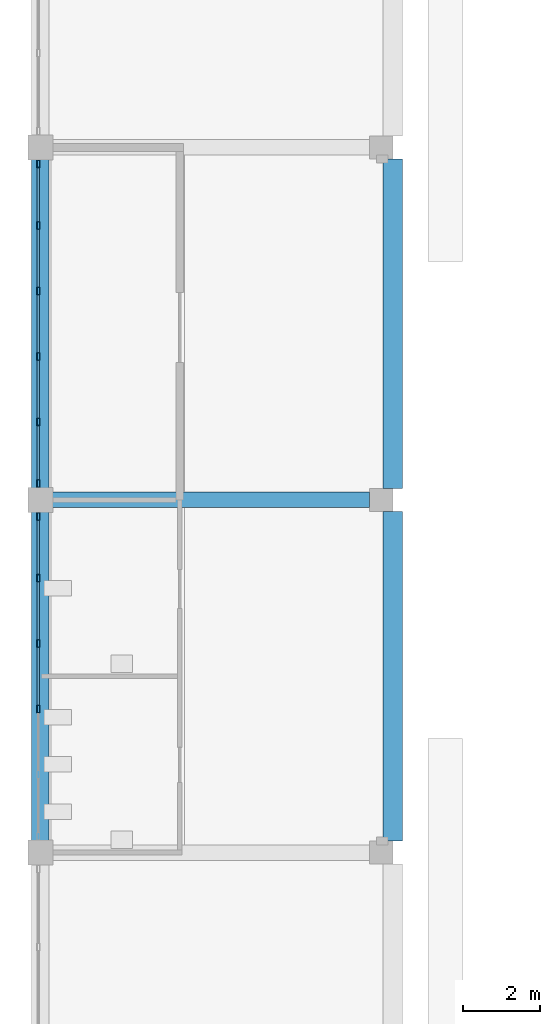
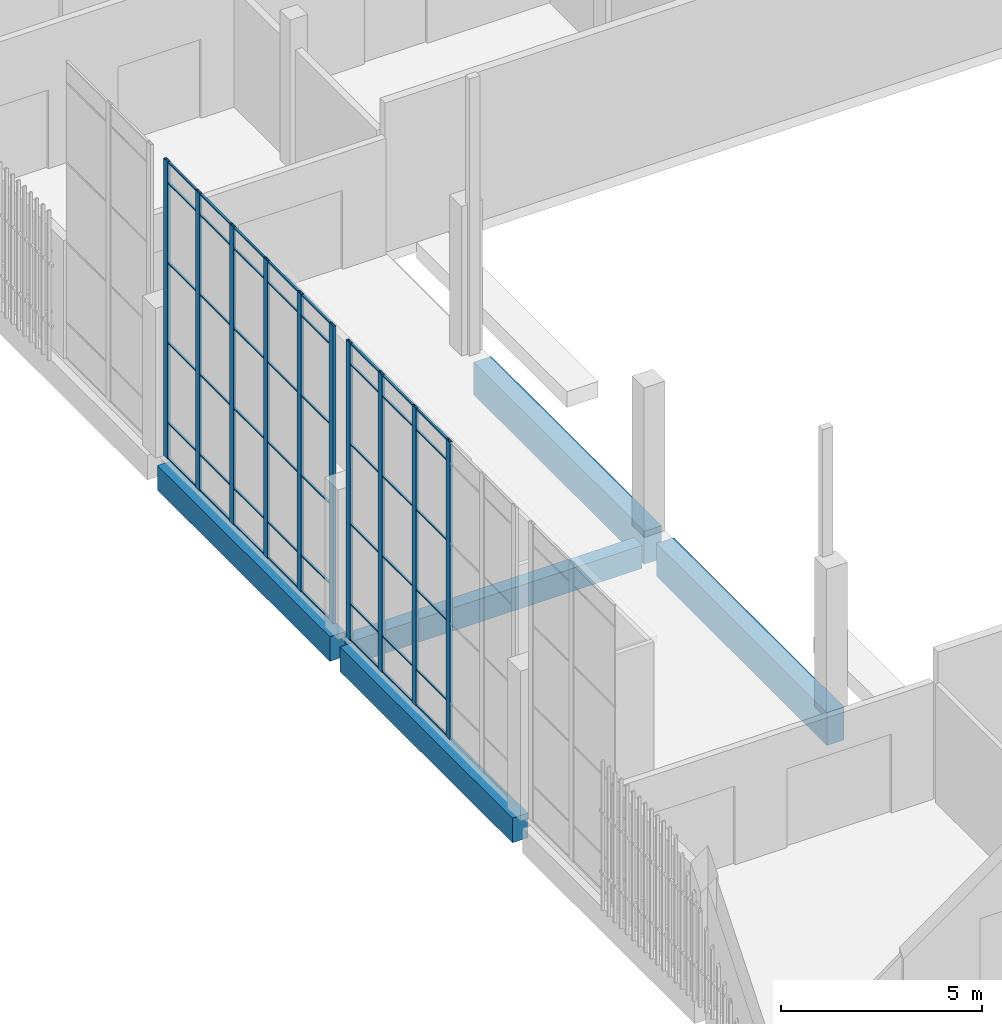
# One storey, part 9 of 91: 58 members, 5 beams, 2 elements without a shape of their own.
"""IFC4 building model written with IfcOpenShell, lengths in metres."""

from ifc_helpers import new_model, si_unit, direction, frame, origin, origin_2d, place, context, subcontext, project, spatial, rectangle, hollow_rectangle, extrude, material, layer, layer_set, material_profile, profile_set, type_object, element, aggregate, save


model = new_model("IFC4")

# Units and contexts
model_context = context("Model", 3, precision=1e-05, world=origin(), true_north=direction((0.0, 1.0)))
body_context = subcontext(model_context, "Body", "Model", "MODEL_VIEW")
ifc_project = project(units=[si_unit("LENGTHUNIT", "METRE"), si_unit("AREAUNIT", "SQUARE_METRE"), si_unit("VOLUMEUNIT", "CUBIC_METRE"), si_unit("PLANEANGLEUNIT", "RADIAN"), si_unit("MASSUNIT", "GRAM", prefix="KILO")], contexts=[model_context])

# Site, building, storey
site_placement = place(None, origin())
site = spatial("IfcSite", under=ifc_project, at=site_placement, CompositionType="ELEMENT")
building_placement = place(site_placement, origin())
building = spatial("IfcBuilding", under=site, at=building_placement, Name="Shirokan Park Arena", CompositionType="ELEMENT")
storey_placement = place(building_placement, frame((0.0, 0.0, 24.570068359375)))
storey = spatial("IfcBuildingStorey", under=building, at=storey_placement, Name="L05", CompositionType="ELEMENT", Elevation=24.570068359375)

# Curtain wall, members
ifc_material_1 = material(Name="Steel and glass curtain wall", Category="steel")
ifc_layer = layer(ifc_material_1, 0.199951171875)
ifc_layer_set = layer_set([ifc_layer], Name="Steel and glass curtain wall 200 mm")
curtain_wall_type = type_object("IfcCurtainWallType", Name="Curtain wall hall bay 200", PredefinedType="NOTDEFINED", material=ifc_layer_set)
curtain_wall_1_placement = place(storey_placement, origin())
curtain_wall_1 = element("IfcCurtainWall", 1, at=curtain_wall_1_placement, inside=storey, type_object=curtain_wall_type, Name="Curtain wall west bay 6 L05", PredefinedType="NOTDEFINED")
ifc_material_2 = material(Name="Steel S355", Category="steel")
ifc_material_profile_1 = material_profile(ifc_material_2, hollow_rectangle(XDim=0.080078125, YDim=0.199951171875, WallThickness=0.008056640625, at=origin_2d()), Name="RHS 200x80x8")
ifc_profile_set_1 = profile_set([ifc_material_profile_1], Name="Steel S355")
member_type_1 = type_object("IfcMemberType", Name="Mullion RHS 200x80x8", PredefinedType="MULLION", material=ifc_profile_set_1)
member_1_placement = place(storey_placement, frame((-0.050048828125, 63.27490234375, 0.0), z_axis=(0.0, 0.0, 1.0), x_axis=(1.0, 0.0, 0.0)))
member_1 = element("IfcMember", 2, at=member_1_placement, type_object=member_type_1, Name="CW5 mullion 1", PredefinedType="MULLION", context=body_context, shape_type="SweptSolid", body=[
    extrude(hollow_rectangle(XDim=0.080078125, YDim=0.199951171875, WallThickness=0.008056640625, at=origin_2d()), origin(), (0.0, 0.0, 1.0), 9.050048828125),
])
member_2_placement = place(storey_placement, frame((-0.050048828125, 61.68505859375, 0.0), z_axis=(0.0, 0.0, 1.0), x_axis=(1.0, 0.0, 0.0)))
member_2 = element("IfcMember", 3, at=member_2_placement, type_object=member_type_1, Name="CW5 mullion 2", PredefinedType="MULLION", context=body_context, shape_type="SweptSolid", body=[
    extrude(hollow_rectangle(XDim=0.080078125, YDim=0.199951171875, WallThickness=0.008056640625, at=origin_2d()), origin(), (0.0, 0.0, 1.0), 9.050048828125),
])
member_3_placement = place(storey_placement, frame((-0.050048828125, 59.9951171875, 0.0), z_axis=(0.0, 0.0, 1.0), x_axis=(1.0, 0.0, 0.0)))
member_3 = element("IfcMember", 4, at=member_3_placement, type_object=member_type_1, Name="CW5 mullion 3", PredefinedType="MULLION", context=body_context, shape_type="SweptSolid", body=[
    extrude(hollow_rectangle(XDim=0.080078125, YDim=0.199951171875, WallThickness=0.008056640625, at=origin_2d()), origin(), (0.0, 0.0, 1.0), 9.050048828125),
])
member_4_placement = place(storey_placement, frame((-0.050048828125, 58.304931640625, 0.0), z_axis=(0.0, 0.0, 1.0), x_axis=(1.0, 0.0, 0.0)))
member_4 = element("IfcMember", 5, at=member_4_placement, type_object=member_type_1, Name="CW5 mullion 4", PredefinedType="MULLION", context=body_context, shape_type="SweptSolid", body=[
    extrude(hollow_rectangle(XDim=0.080078125, YDim=0.199951171875, WallThickness=0.008056640625, at=origin_2d()), origin(), (0.0, 0.0, 1.0), 9.050048828125),
])
member_5_placement = place(storey_placement, frame((-0.050048828125, 56.614990234375, 0.0), z_axis=(0.0, 0.0, 1.0), x_axis=(1.0, 0.0, 0.0)))
member_5 = element("IfcMember", 6, at=member_5_placement, type_object=member_type_1, Name="CW5 mullion 5", PredefinedType="MULLION", context=body_context, shape_type="SweptSolid", body=[
    extrude(hollow_rectangle(XDim=0.080078125, YDim=0.199951171875, WallThickness=0.008056640625, at=origin_2d()), origin(), (0.0, 0.0, 1.0), 9.050048828125),
])
member_6_placement = place(storey_placement, frame((-0.050048828125, 55.02490234375, 0.0), z_axis=(0.0, 0.0, 1.0), x_axis=(1.0, 0.0, 0.0)))
member_6 = element("IfcMember", 7, at=member_6_placement, type_object=member_type_1, Name="CW5 mullion 6", PredefinedType="MULLION", context=body_context, shape_type="SweptSolid", body=[
    extrude(hollow_rectangle(XDim=0.080078125, YDim=0.199951171875, WallThickness=0.008056640625, at=origin_2d()), origin(), (0.0, 0.0, 1.0), 9.050048828125),
])

curtain_wall_2_placement = place(storey_placement, origin())
curtain_wall_2 = element("IfcCurtainWall", 8, at=curtain_wall_2_placement, inside=storey, type_object=curtain_wall_type, Name="Curtain wall west bay 7 L05", PredefinedType="NOTDEFINED")
member_7_placement = place(storey_placement, frame((-0.050048828125, 54.175048828125, 0.0), z_axis=(0.0, 0.0, 1.0), x_axis=(1.0, 0.0, 0.0)))
member_7 = element("IfcMember", 9, at=member_7_placement, type_object=member_type_1, Name="CW5 mullion 1", PredefinedType="MULLION", context=body_context, shape_type="SweptSolid", body=[
    extrude(hollow_rectangle(XDim=0.080078125, YDim=0.199951171875, WallThickness=0.008056640625, at=origin_2d()), origin(), (0.0, 0.0, 1.0), 9.050048828125),
])
member_8_placement = place(storey_placement, frame((-0.050048828125, 52.5849609375, 0.0), z_axis=(0.0, 0.0, 1.0), x_axis=(1.0, 0.0, 0.0)))
member_8 = element("IfcMember", 10, at=member_8_placement, type_object=member_type_1, Name="CW5 mullion 2", PredefinedType="MULLION", context=body_context, shape_type="SweptSolid", body=[
    extrude(hollow_rectangle(XDim=0.080078125, YDim=0.199951171875, WallThickness=0.008056640625, at=origin_2d()), origin(), (0.0, 0.0, 1.0), 9.050048828125),
])
member_9_placement = place(storey_placement, frame((-0.050048828125, 50.89501953125, 0.0), z_axis=(0.0, 0.0, 1.0), x_axis=(1.0, 0.0, 0.0)))
member_9 = element("IfcMember", 11, at=member_9_placement, type_object=member_type_1, Name="CW5 mullion 3", PredefinedType="MULLION", context=body_context, shape_type="SweptSolid", body=[
    extrude(hollow_rectangle(XDim=0.080078125, YDim=0.199951171875, WallThickness=0.008056640625, at=origin_2d()), origin(), (0.0, 0.0, 1.0), 9.050048828125),
])
member_10_placement = place(storey_placement, frame((-0.050048828125, 49.205078125, 0.0), z_axis=(0.0, 0.0, 1.0), x_axis=(1.0, 0.0, 0.0)))
member_10 = element("IfcMember", 12, at=member_10_placement, type_object=member_type_1, Name="CW5 mullion 4", PredefinedType="MULLION", context=body_context, shape_type="SweptSolid", body=[
    extrude(hollow_rectangle(XDim=0.080078125, YDim=0.199951171875, WallThickness=0.008056640625, at=origin_2d()), origin(), (0.0, 0.0, 1.0), 9.050048828125),
])

# Beams
ifc_material_3 = material(Name="Concrete C35", Category="concrete")
ifc_material_profile_2 = material_profile(ifc_material_3, rectangle(XDim=0.39990234375, YDim=0.699951171875, at=origin_2d()), Name="400x700")
ifc_profile_set_2 = profile_set([ifc_material_profile_2], Name="Concrete C35")
beam_type_1 = type_object("IfcBeamType", Name="RC girder 400x700", PredefinedType="BEAM", material=ifc_profile_set_2)
beam_placement = place(storey_placement, frame((0.175048828125, 54.60009765625, -0.650146484375), z_axis=(1.0, 0.0, 0.0), x_axis=(0.0, 1.0, 0.0)))
element("IfcBeam", 13, at=beam_placement, inside=storey, type_object=beam_type_1, Name="Girder 1G-2G L05", PredefinedType="BEAM", context=body_context, shape_type="SweptSolid", body=[
    extrude(rectangle(XDim=0.39990234375, YDim=0.699951171875, at=origin_2d()), origin(), (0.0, 0.0, 1.0), 8.324951171875),
])
ifc_material_profile_3 = material_profile(ifc_material_3, rectangle(XDim=0.449951171875, YDim=0.75, at=origin_2d()), Name="450x750")
ifc_profile_set_3 = profile_set([ifc_material_profile_3], Name="Concrete C35")
beam_type_2 = type_object("IfcBeamType", Name="RC girder 450x750", PredefinedType="BEAM", material=ifc_profile_set_3)
for number, where, z_axis, x_axis, name in (
    (14, (0.0, 45.75, -0.675048828125), (0.0, 1.0, 0.0), (-1.0, 0.0, 0.0), "Girder 1F-1G L05"),
    (15, (0.0, 54.85009765625, -0.675048828125), (0.0, 1.0, 0.0), (-1.0, 0.0, 0.0), "Girder 1G-1H L05"),
):
    element("IfcBeam", number, at=place(storey_placement, frame(where, z_axis=z_axis, x_axis=x_axis)), inside=storey, type_object=beam_type_2, Name=name, PredefinedType="BEAM", context=body_context, shape_type="SweptSolid", body=[
        extrude(rectangle(XDim=0.449951171875, YDim=0.75, at=origin_2d()), origin(), (0.0, 0.0, 1.0), 8.599853515625),
    ])
ifc_material_profile_4 = material_profile(ifc_material_3, rectangle(XDim=0.5, YDim=1.0, at=origin_2d()), Name="500x1000")
ifc_profile_set_4 = profile_set([ifc_material_profile_4], Name="Concrete C35")
beam_type_3 = type_object("IfcBeamType", Name="RC girder 500x1000", PredefinedType="BEAM", material=ifc_profile_set_4)
for number, where, z_axis, x_axis, name in (
    (16, (9.10009765625, 45.800048828125, -0.800048828125), (0.0, 1.0, 0.0), (-1.0, 0.0, 0.0), "Girder 2F-2G L05"),
    (17, (9.10009765625, 54.900146484375, -0.800048828125), (0.0, 1.0, 0.0), (-1.0, 0.0, 0.0), "Girder 2G-2H L05"),
):
    element("IfcBeam", number, at=place(storey_placement, frame(where, z_axis=z_axis, x_axis=x_axis)), inside=storey, type_object=beam_type_3, Name=name, PredefinedType="BEAM", context=body_context, shape_type="SweptSolid", body=[
        extrude(rectangle(XDim=0.5, YDim=1.0, at=origin_2d()), origin(), (0.0, 0.0, 1.0), 8.499755859375),
    ])

# Member
ifc_material_profile_5 = material_profile(ifc_material_2, hollow_rectangle(XDim=0.06005859375, YDim=0.0400390625, WallThickness=0.00390625, at=origin_2d()), Name="RHS 60x40x4")
ifc_profile_set_5 = profile_set([ifc_material_profile_5], Name="Steel S355")
member_type_2 = type_object("IfcMemberType", Name="Transom RHS 60x40x4", PredefinedType="MULLION", material=ifc_profile_set_5)
member_11_placement = place(storey_placement, frame((-0.050048828125, 63.175048828125, 0.02001953125), z_axis=(0.0, -1.0, 0.0), x_axis=(1.0, 0.0, 0.0)))
member_11 = element("IfcMember", 18, at=member_11_placement, type_object=member_type_2, Name="CW5 transom 1.1", PredefinedType="MULLION", context=body_context, shape_type="SweptSolid", body=[
    extrude(hollow_rectangle(XDim=0.06005859375, YDim=0.0400390625, WallThickness=0.00390625, at=origin_2d()), origin(), (0.0, 0.0, 1.0), 1.39013671875),
])

member_12_placement = place(storey_placement, frame((-0.050048828125, 63.175048828125, 1.099853515625), z_axis=(0.0, -1.0, 0.0), x_axis=(1.0, 0.0, 0.0)))
member_12 = element("IfcMember", 19, at=member_12_placement, type_object=member_type_2, Name="CW5 transom 1.2", PredefinedType="MULLION", context=body_context, shape_type="SweptSolid", body=[
    extrude(hollow_rectangle(XDim=0.06005859375, YDim=0.0400390625, WallThickness=0.00390625, at=origin_2d()), origin(), (0.0, 0.0, 1.0), 1.39013671875),
])

member_13_placement = place(storey_placement, frame((-0.050048828125, 63.175048828125, 3.533203125), z_axis=(0.0, -1.0, 0.0), x_axis=(1.0, 0.0, 0.0)))
member_13 = element("IfcMember", 20, at=member_13_placement, type_object=member_type_2, Name="CW5 transom 1.3", PredefinedType="MULLION", context=body_context, shape_type="SweptSolid", body=[
    extrude(hollow_rectangle(XDim=0.06005859375, YDim=0.0400390625, WallThickness=0.00390625, at=origin_2d()), origin(), (0.0, 0.0, 1.0), 1.39013671875),
])

member_14_placement = place(storey_placement, frame((-0.050048828125, 63.175048828125, 5.966552734375), z_axis=(0.0, -1.0, 0.0), x_axis=(1.0, 0.0, 0.0)))
member_14 = element("IfcMember", 21, at=member_14_placement, type_object=member_type_2, Name="CW5 transom 1.4", PredefinedType="MULLION", context=body_context, shape_type="SweptSolid", body=[
    extrude(hollow_rectangle(XDim=0.06005859375, YDim=0.0400390625, WallThickness=0.00390625, at=origin_2d()), origin(), (0.0, 0.0, 1.0), 1.39013671875),
])

member_15_placement = place(storey_placement, frame((-0.050048828125, 63.175048828125, 8.39990234375), z_axis=(0.0, -1.0, 0.0), x_axis=(1.0, 0.0, 0.0)))
member_15 = element("IfcMember", 22, at=member_15_placement, type_object=member_type_2, Name="CW5 transom 1.5", PredefinedType="MULLION", context=body_context, shape_type="SweptSolid", body=[
    extrude(hollow_rectangle(XDim=0.06005859375, YDim=0.0400390625, WallThickness=0.00390625, at=origin_2d()), origin(), (0.0, 0.0, 1.0), 1.39013671875),
])

member_16_placement = place(storey_placement, frame((-0.050048828125, 63.175048828125, 9.030029296875), z_axis=(0.0, -1.0, 0.0), x_axis=(1.0, 0.0, 0.0)))
member_16 = element("IfcMember", 23, at=member_16_placement, type_object=member_type_2, Name="CW5 transom 1.6", PredefinedType="MULLION", context=body_context, shape_type="SweptSolid", body=[
    extrude(hollow_rectangle(XDim=0.06005859375, YDim=0.0400390625, WallThickness=0.00390625, at=origin_2d()), origin(), (0.0, 0.0, 1.0), 1.39013671875),
])

member_17_placement = place(storey_placement, frame((-0.050048828125, 61.5849609375, 0.02001953125), z_axis=(0.0, -1.0, 0.0), x_axis=(1.0, 0.0, 0.0)))
member_17 = element("IfcMember", 24, at=member_17_placement, type_object=member_type_2, Name="CW5 transom 2.1", PredefinedType="MULLION", context=body_context, shape_type="SweptSolid", body=[
    extrude(hollow_rectangle(XDim=0.06005859375, YDim=0.0400390625, WallThickness=0.00390625, at=origin_2d()), origin(), (0.0, 0.0, 1.0), 1.489990234375),
])

member_18_placement = place(storey_placement, frame((-0.050048828125, 61.5849609375, 1.099853515625), z_axis=(0.0, -1.0, 0.0), x_axis=(1.0, 0.0, 0.0)))
member_18 = element("IfcMember", 25, at=member_18_placement, type_object=member_type_2, Name="CW5 transom 2.2", PredefinedType="MULLION", context=body_context, shape_type="SweptSolid", body=[
    extrude(hollow_rectangle(XDim=0.06005859375, YDim=0.0400390625, WallThickness=0.00390625, at=origin_2d()), origin(), (0.0, 0.0, 1.0), 1.489990234375),
])

member_19_placement = place(storey_placement, frame((-0.050048828125, 61.5849609375, 3.533203125), z_axis=(0.0, -1.0, 0.0), x_axis=(1.0, 0.0, 0.0)))
member_19 = element("IfcMember", 26, at=member_19_placement, type_object=member_type_2, Name="CW5 transom 2.3", PredefinedType="MULLION", context=body_context, shape_type="SweptSolid", body=[
    extrude(hollow_rectangle(XDim=0.06005859375, YDim=0.0400390625, WallThickness=0.00390625, at=origin_2d()), origin(), (0.0, 0.0, 1.0), 1.489990234375),
])

member_20_placement = place(storey_placement, frame((-0.050048828125, 61.5849609375, 5.966552734375), z_axis=(0.0, -1.0, 0.0), x_axis=(1.0, 0.0, 0.0)))
member_20 = element("IfcMember", 27, at=member_20_placement, type_object=member_type_2, Name="CW5 transom 2.4", PredefinedType="MULLION", context=body_context, shape_type="SweptSolid", body=[
    extrude(hollow_rectangle(XDim=0.06005859375, YDim=0.0400390625, WallThickness=0.00390625, at=origin_2d()), origin(), (0.0, 0.0, 1.0), 1.489990234375),
])

member_21_placement = place(storey_placement, frame((-0.050048828125, 61.5849609375, 8.39990234375), z_axis=(0.0, -1.0, 0.0), x_axis=(1.0, 0.0, 0.0)))
member_21 = element("IfcMember", 28, at=member_21_placement, type_object=member_type_2, Name="CW5 transom 2.5", PredefinedType="MULLION", context=body_context, shape_type="SweptSolid", body=[
    extrude(hollow_rectangle(XDim=0.06005859375, YDim=0.0400390625, WallThickness=0.00390625, at=origin_2d()), origin(), (0.0, 0.0, 1.0), 1.489990234375),
])

member_22_placement = place(storey_placement, frame((-0.050048828125, 61.5849609375, 9.030029296875), z_axis=(0.0, -1.0, 0.0), x_axis=(1.0, 0.0, 0.0)))
member_22 = element("IfcMember", 29, at=member_22_placement, type_object=member_type_2, Name="CW5 transom 2.6", PredefinedType="MULLION", context=body_context, shape_type="SweptSolid", body=[
    extrude(hollow_rectangle(XDim=0.06005859375, YDim=0.0400390625, WallThickness=0.00390625, at=origin_2d()), origin(), (0.0, 0.0, 1.0), 1.489990234375),
])

member_23_placement = place(storey_placement, frame((-0.050048828125, 59.89501953125, 0.02001953125), z_axis=(0.0, -1.0, 0.0), x_axis=(1.0, 0.0, 0.0)))
member_23 = element("IfcMember", 30, at=member_23_placement, type_object=member_type_2, Name="CW5 transom 3.1", PredefinedType="MULLION", context=body_context, shape_type="SweptSolid", body=[
    extrude(hollow_rectangle(XDim=0.06005859375, YDim=0.0400390625, WallThickness=0.00390625, at=origin_2d()), origin(), (0.0, 0.0, 1.0), 1.489990234375),
])

member_24_placement = place(storey_placement, frame((-0.050048828125, 59.89501953125, 1.099853515625), z_axis=(0.0, -1.0, 0.0), x_axis=(1.0, 0.0, 0.0)))
member_24 = element("IfcMember", 31, at=member_24_placement, type_object=member_type_2, Name="CW5 transom 3.2", PredefinedType="MULLION", context=body_context, shape_type="SweptSolid", body=[
    extrude(hollow_rectangle(XDim=0.06005859375, YDim=0.0400390625, WallThickness=0.00390625, at=origin_2d()), origin(), (0.0, 0.0, 1.0), 1.489990234375),
])

member_25_placement = place(storey_placement, frame((-0.050048828125, 59.89501953125, 3.533203125), z_axis=(0.0, -1.0, 0.0), x_axis=(1.0, 0.0, 0.0)))
member_25 = element("IfcMember", 32, at=member_25_placement, type_object=member_type_2, Name="CW5 transom 3.3", PredefinedType="MULLION", context=body_context, shape_type="SweptSolid", body=[
    extrude(hollow_rectangle(XDim=0.06005859375, YDim=0.0400390625, WallThickness=0.00390625, at=origin_2d()), origin(), (0.0, 0.0, 1.0), 1.489990234375),
])

member_26_placement = place(storey_placement, frame((-0.050048828125, 59.89501953125, 5.966552734375), z_axis=(0.0, -1.0, 0.0), x_axis=(1.0, 0.0, 0.0)))
member_26 = element("IfcMember", 33, at=member_26_placement, type_object=member_type_2, Name="CW5 transom 3.4", PredefinedType="MULLION", context=body_context, shape_type="SweptSolid", body=[
    extrude(hollow_rectangle(XDim=0.06005859375, YDim=0.0400390625, WallThickness=0.00390625, at=origin_2d()), origin(), (0.0, 0.0, 1.0), 1.489990234375),
])

member_27_placement = place(storey_placement, frame((-0.050048828125, 59.89501953125, 8.39990234375), z_axis=(0.0, -1.0, 0.0), x_axis=(1.0, 0.0, 0.0)))
member_27 = element("IfcMember", 34, at=member_27_placement, type_object=member_type_2, Name="CW5 transom 3.5", PredefinedType="MULLION", context=body_context, shape_type="SweptSolid", body=[
    extrude(hollow_rectangle(XDim=0.06005859375, YDim=0.0400390625, WallThickness=0.00390625, at=origin_2d()), origin(), (0.0, 0.0, 1.0), 1.489990234375),
])

member_28_placement = place(storey_placement, frame((-0.050048828125, 59.89501953125, 9.030029296875), z_axis=(0.0, -1.0, 0.0), x_axis=(1.0, 0.0, 0.0)))
member_28 = element("IfcMember", 35, at=member_28_placement, type_object=member_type_2, Name="CW5 transom 3.6", PredefinedType="MULLION", context=body_context, shape_type="SweptSolid", body=[
    extrude(hollow_rectangle(XDim=0.06005859375, YDim=0.0400390625, WallThickness=0.00390625, at=origin_2d()), origin(), (0.0, 0.0, 1.0), 1.489990234375),
])

member_29_placement = place(storey_placement, frame((-0.050048828125, 58.205078125, 0.02001953125), z_axis=(0.0, -1.0, 0.0), x_axis=(1.0, 0.0, 0.0)))
member_29 = element("IfcMember", 36, at=member_29_placement, type_object=member_type_2, Name="CW5 transom 4.1", PredefinedType="MULLION", context=body_context, shape_type="SweptSolid", body=[
    extrude(hollow_rectangle(XDim=0.06005859375, YDim=0.0400390625, WallThickness=0.00390625, at=origin_2d()), origin(), (0.0, 0.0, 1.0), 1.489990234375),
])

member_30_placement = place(storey_placement, frame((-0.050048828125, 58.205078125, 1.099853515625), z_axis=(0.0, -1.0, 0.0), x_axis=(1.0, 0.0, 0.0)))
member_30 = element("IfcMember", 37, at=member_30_placement, type_object=member_type_2, Name="CW5 transom 4.2", PredefinedType="MULLION", context=body_context, shape_type="SweptSolid", body=[
    extrude(hollow_rectangle(XDim=0.06005859375, YDim=0.0400390625, WallThickness=0.00390625, at=origin_2d()), origin(), (0.0, 0.0, 1.0), 1.489990234375),
])

member_31_placement = place(storey_placement, frame((-0.050048828125, 58.205078125, 3.533203125), z_axis=(0.0, -1.0, 0.0), x_axis=(1.0, 0.0, 0.0)))
member_31 = element("IfcMember", 38, at=member_31_placement, type_object=member_type_2, Name="CW5 transom 4.3", PredefinedType="MULLION", context=body_context, shape_type="SweptSolid", body=[
    extrude(hollow_rectangle(XDim=0.06005859375, YDim=0.0400390625, WallThickness=0.00390625, at=origin_2d()), origin(), (0.0, 0.0, 1.0), 1.489990234375),
])

member_32_placement = place(storey_placement, frame((-0.050048828125, 58.205078125, 5.966552734375), z_axis=(0.0, -1.0, 0.0), x_axis=(1.0, 0.0, 0.0)))
member_32 = element("IfcMember", 39, at=member_32_placement, type_object=member_type_2, Name="CW5 transom 4.4", PredefinedType="MULLION", context=body_context, shape_type="SweptSolid", body=[
    extrude(hollow_rectangle(XDim=0.06005859375, YDim=0.0400390625, WallThickness=0.00390625, at=origin_2d()), origin(), (0.0, 0.0, 1.0), 1.489990234375),
])

member_33_placement = place(storey_placement, frame((-0.050048828125, 58.205078125, 8.39990234375), z_axis=(0.0, -1.0, 0.0), x_axis=(1.0, 0.0, 0.0)))
member_33 = element("IfcMember", 40, at=member_33_placement, type_object=member_type_2, Name="CW5 transom 4.5", PredefinedType="MULLION", context=body_context, shape_type="SweptSolid", body=[
    extrude(hollow_rectangle(XDim=0.06005859375, YDim=0.0400390625, WallThickness=0.00390625, at=origin_2d()), origin(), (0.0, 0.0, 1.0), 1.489990234375),
])

member_34_placement = place(storey_placement, frame((-0.050048828125, 58.205078125, 9.030029296875), z_axis=(0.0, -1.0, 0.0), x_axis=(1.0, 0.0, 0.0)))
member_34 = element("IfcMember", 41, at=member_34_placement, type_object=member_type_2, Name="CW5 transom 4.6", PredefinedType="MULLION", context=body_context, shape_type="SweptSolid", body=[
    extrude(hollow_rectangle(XDim=0.06005859375, YDim=0.0400390625, WallThickness=0.00390625, at=origin_2d()), origin(), (0.0, 0.0, 1.0), 1.489990234375),
])

member_35_placement = place(storey_placement, frame((-0.050048828125, 56.514892578125, 0.02001953125), z_axis=(0.0, -1.0, 0.0), x_axis=(1.0, 0.0, 0.0)))
member_35 = element("IfcMember", 42, at=member_35_placement, type_object=member_type_2, Name="CW5 transom 5.1", PredefinedType="MULLION", context=body_context, shape_type="SweptSolid", body=[
    extrude(hollow_rectangle(XDim=0.06005859375, YDim=0.0400390625, WallThickness=0.00390625, at=origin_2d()), origin(), (0.0, 0.0, 1.0), 1.389892578125),
])

member_36_placement = place(storey_placement, frame((-0.050048828125, 56.514892578125, 1.099853515625), z_axis=(0.0, -1.0, 0.0), x_axis=(1.0, 0.0, 0.0)))
member_36 = element("IfcMember", 43, at=member_36_placement, type_object=member_type_2, Name="CW5 transom 5.2", PredefinedType="MULLION", context=body_context, shape_type="SweptSolid", body=[
    extrude(hollow_rectangle(XDim=0.06005859375, YDim=0.0400390625, WallThickness=0.00390625, at=origin_2d()), origin(), (0.0, 0.0, 1.0), 1.389892578125),
])

member_37_placement = place(storey_placement, frame((-0.050048828125, 56.514892578125, 3.533203125), z_axis=(0.0, -1.0, 0.0), x_axis=(1.0, 0.0, 0.0)))
member_37 = element("IfcMember", 44, at=member_37_placement, type_object=member_type_2, Name="CW5 transom 5.3", PredefinedType="MULLION", context=body_context, shape_type="SweptSolid", body=[
    extrude(hollow_rectangle(XDim=0.06005859375, YDim=0.0400390625, WallThickness=0.00390625, at=origin_2d()), origin(), (0.0, 0.0, 1.0), 1.389892578125),
])

member_38_placement = place(storey_placement, frame((-0.050048828125, 56.514892578125, 5.966552734375), z_axis=(0.0, -1.0, 0.0), x_axis=(1.0, 0.0, 0.0)))
member_38 = element("IfcMember", 45, at=member_38_placement, type_object=member_type_2, Name="CW5 transom 5.4", PredefinedType="MULLION", context=body_context, shape_type="SweptSolid", body=[
    extrude(hollow_rectangle(XDim=0.06005859375, YDim=0.0400390625, WallThickness=0.00390625, at=origin_2d()), origin(), (0.0, 0.0, 1.0), 1.389892578125),
])

member_39_placement = place(storey_placement, frame((-0.050048828125, 56.514892578125, 8.39990234375), z_axis=(0.0, -1.0, 0.0), x_axis=(1.0, 0.0, 0.0)))
member_39 = element("IfcMember", 46, at=member_39_placement, type_object=member_type_2, Name="CW5 transom 5.5", PredefinedType="MULLION", context=body_context, shape_type="SweptSolid", body=[
    extrude(hollow_rectangle(XDim=0.06005859375, YDim=0.0400390625, WallThickness=0.00390625, at=origin_2d()), origin(), (0.0, 0.0, 1.0), 1.389892578125),
])

member_40_placement = place(storey_placement, frame((-0.050048828125, 56.514892578125, 9.030029296875), z_axis=(0.0, -1.0, 0.0), x_axis=(1.0, 0.0, 0.0)))
member_40 = element("IfcMember", 47, at=member_40_placement, type_object=member_type_2, Name="CW5 transom 5.6", PredefinedType="MULLION", context=body_context, shape_type="SweptSolid", body=[
    extrude(hollow_rectangle(XDim=0.06005859375, YDim=0.0400390625, WallThickness=0.00390625, at=origin_2d()), origin(), (0.0, 0.0, 1.0), 1.389892578125),
])

aggregate(curtain_wall_1, [member_1, member_2, member_3, member_4, member_5, member_6, member_11, member_12, member_13, member_14, member_15, member_16, member_17, member_18, member_19, member_20, member_21, member_22, member_23, member_24, member_25, member_26, member_27, member_28, member_29, member_30, member_31, member_32, member_33, member_34, member_35, member_36, member_37, member_38, member_39, member_40])

member_41_placement = place(storey_placement, frame((-0.050048828125, 54.074951171875, 0.02001953125), z_axis=(0.0, -1.0, 0.0), x_axis=(1.0, 0.0, 0.0)))
member_41 = element("IfcMember", 48, at=member_41_placement, type_object=member_type_2, Name="CW5 transom 1.1", PredefinedType="MULLION", context=body_context, shape_type="SweptSolid", body=[
    extrude(hollow_rectangle(XDim=0.06005859375, YDim=0.0400390625, WallThickness=0.00390625, at=origin_2d()), origin(), (0.0, 0.0, 1.0), 1.389892578125),
])

member_42_placement = place(storey_placement, frame((-0.050048828125, 54.074951171875, 1.099853515625), z_axis=(0.0, -1.0, 0.0), x_axis=(1.0, 0.0, 0.0)))
member_42 = element("IfcMember", 49, at=member_42_placement, type_object=member_type_2, Name="CW5 transom 1.2", PredefinedType="MULLION", context=body_context, shape_type="SweptSolid", body=[
    extrude(hollow_rectangle(XDim=0.06005859375, YDim=0.0400390625, WallThickness=0.00390625, at=origin_2d()), origin(), (0.0, 0.0, 1.0), 1.389892578125),
])

member_43_placement = place(storey_placement, frame((-0.050048828125, 54.074951171875, 3.533203125), z_axis=(0.0, -1.0, 0.0), x_axis=(1.0, 0.0, 0.0)))
member_43 = element("IfcMember", 50, at=member_43_placement, type_object=member_type_2, Name="CW5 transom 1.3", PredefinedType="MULLION", context=body_context, shape_type="SweptSolid", body=[
    extrude(hollow_rectangle(XDim=0.06005859375, YDim=0.0400390625, WallThickness=0.00390625, at=origin_2d()), origin(), (0.0, 0.0, 1.0), 1.389892578125),
])

member_44_placement = place(storey_placement, frame((-0.050048828125, 54.074951171875, 5.966552734375), z_axis=(0.0, -1.0, 0.0), x_axis=(1.0, 0.0, 0.0)))
member_44 = element("IfcMember", 51, at=member_44_placement, type_object=member_type_2, Name="CW5 transom 1.4", PredefinedType="MULLION", context=body_context, shape_type="SweptSolid", body=[
    extrude(hollow_rectangle(XDim=0.06005859375, YDim=0.0400390625, WallThickness=0.00390625, at=origin_2d()), origin(), (0.0, 0.0, 1.0), 1.389892578125),
])

member_45_placement = place(storey_placement, frame((-0.050048828125, 54.074951171875, 8.39990234375), z_axis=(0.0, -1.0, 0.0), x_axis=(1.0, 0.0, 0.0)))
member_45 = element("IfcMember", 52, at=member_45_placement, type_object=member_type_2, Name="CW5 transom 1.5", PredefinedType="MULLION", context=body_context, shape_type="SweptSolid", body=[
    extrude(hollow_rectangle(XDim=0.06005859375, YDim=0.0400390625, WallThickness=0.00390625, at=origin_2d()), origin(), (0.0, 0.0, 1.0), 1.389892578125),
])

member_46_placement = place(storey_placement, frame((-0.050048828125, 54.074951171875, 9.030029296875), z_axis=(0.0, -1.0, 0.0), x_axis=(1.0, 0.0, 0.0)))
member_46 = element("IfcMember", 53, at=member_46_placement, type_object=member_type_2, Name="CW5 transom 1.6", PredefinedType="MULLION", context=body_context, shape_type="SweptSolid", body=[
    extrude(hollow_rectangle(XDim=0.06005859375, YDim=0.0400390625, WallThickness=0.00390625, at=origin_2d()), origin(), (0.0, 0.0, 1.0), 1.389892578125),
])

member_47_placement = place(storey_placement, frame((-0.050048828125, 52.485107421875, 0.02001953125), z_axis=(0.0, -1.0, 0.0), x_axis=(1.0, 0.0, 0.0)))
member_47 = element("IfcMember", 54, at=member_47_placement, type_object=member_type_2, Name="CW5 transom 2.1", PredefinedType="MULLION", context=body_context, shape_type="SweptSolid", body=[
    extrude(hollow_rectangle(XDim=0.06005859375, YDim=0.0400390625, WallThickness=0.00390625, at=origin_2d()), origin(), (0.0, 0.0, 1.0), 1.489990234375),
])

member_48_placement = place(storey_placement, frame((-0.050048828125, 52.485107421875, 1.099853515625), z_axis=(0.0, -1.0, 0.0), x_axis=(1.0, 0.0, 0.0)))
member_48 = element("IfcMember", 55, at=member_48_placement, type_object=member_type_2, Name="CW5 transom 2.2", PredefinedType="MULLION", context=body_context, shape_type="SweptSolid", body=[
    extrude(hollow_rectangle(XDim=0.06005859375, YDim=0.0400390625, WallThickness=0.00390625, at=origin_2d()), origin(), (0.0, 0.0, 1.0), 1.489990234375),
])

member_49_placement = place(storey_placement, frame((-0.050048828125, 52.485107421875, 3.533203125), z_axis=(0.0, -1.0, 0.0), x_axis=(1.0, 0.0, 0.0)))
member_49 = element("IfcMember", 56, at=member_49_placement, type_object=member_type_2, Name="CW5 transom 2.3", PredefinedType="MULLION", context=body_context, shape_type="SweptSolid", body=[
    extrude(hollow_rectangle(XDim=0.06005859375, YDim=0.0400390625, WallThickness=0.00390625, at=origin_2d()), origin(), (0.0, 0.0, 1.0), 1.489990234375),
])

member_50_placement = place(storey_placement, frame((-0.050048828125, 52.485107421875, 5.966552734375), z_axis=(0.0, -1.0, 0.0), x_axis=(1.0, 0.0, 0.0)))
member_50 = element("IfcMember", 57, at=member_50_placement, type_object=member_type_2, Name="CW5 transom 2.4", PredefinedType="MULLION", context=body_context, shape_type="SweptSolid", body=[
    extrude(hollow_rectangle(XDim=0.06005859375, YDim=0.0400390625, WallThickness=0.00390625, at=origin_2d()), origin(), (0.0, 0.0, 1.0), 1.489990234375),
])

member_51_placement = place(storey_placement, frame((-0.050048828125, 52.485107421875, 8.39990234375), z_axis=(0.0, -1.0, 0.0), x_axis=(1.0, 0.0, 0.0)))
member_51 = element("IfcMember", 58, at=member_51_placement, type_object=member_type_2, Name="CW5 transom 2.5", PredefinedType="MULLION", context=body_context, shape_type="SweptSolid", body=[
    extrude(hollow_rectangle(XDim=0.06005859375, YDim=0.0400390625, WallThickness=0.00390625, at=origin_2d()), origin(), (0.0, 0.0, 1.0), 1.489990234375),
])

member_52_placement = place(storey_placement, frame((-0.050048828125, 52.485107421875, 9.030029296875), z_axis=(0.0, -1.0, 0.0), x_axis=(1.0, 0.0, 0.0)))
member_52 = element("IfcMember", 59, at=member_52_placement, type_object=member_type_2, Name="CW5 transom 2.6", PredefinedType="MULLION", context=body_context, shape_type="SweptSolid", body=[
    extrude(hollow_rectangle(XDim=0.06005859375, YDim=0.0400390625, WallThickness=0.00390625, at=origin_2d()), origin(), (0.0, 0.0, 1.0), 1.489990234375),
])

member_53_placement = place(storey_placement, frame((-0.050048828125, 50.794921875, 0.02001953125), z_axis=(0.0, -1.0, 0.0), x_axis=(1.0, 0.0, 0.0)))
member_53 = element("IfcMember", 60, at=member_53_placement, type_object=member_type_2, Name="CW5 transom 3.1", PredefinedType="MULLION", context=body_context, shape_type="SweptSolid", body=[
    extrude(hollow_rectangle(XDim=0.06005859375, YDim=0.0400390625, WallThickness=0.00390625, at=origin_2d()), origin(), (0.0, 0.0, 1.0), 1.489990234375),
])

member_54_placement = place(storey_placement, frame((-0.050048828125, 50.794921875, 1.099853515625), z_axis=(0.0, -1.0, 0.0), x_axis=(1.0, 0.0, 0.0)))
member_54 = element("IfcMember", 61, at=member_54_placement, type_object=member_type_2, Name="CW5 transom 3.2", PredefinedType="MULLION", context=body_context, shape_type="SweptSolid", body=[
    extrude(hollow_rectangle(XDim=0.06005859375, YDim=0.0400390625, WallThickness=0.00390625, at=origin_2d()), origin(), (0.0, 0.0, 1.0), 1.489990234375),
])

member_55_placement = place(storey_placement, frame((-0.050048828125, 50.794921875, 3.533203125), z_axis=(0.0, -1.0, 0.0), x_axis=(1.0, 0.0, 0.0)))
member_55 = element("IfcMember", 62, at=member_55_placement, type_object=member_type_2, Name="CW5 transom 3.3", PredefinedType="MULLION", context=body_context, shape_type="SweptSolid", body=[
    extrude(hollow_rectangle(XDim=0.06005859375, YDim=0.0400390625, WallThickness=0.00390625, at=origin_2d()), origin(), (0.0, 0.0, 1.0), 1.489990234375),
])

member_56_placement = place(storey_placement, frame((-0.050048828125, 50.794921875, 5.966552734375), z_axis=(0.0, -1.0, 0.0), x_axis=(1.0, 0.0, 0.0)))
member_56 = element("IfcMember", 63, at=member_56_placement, type_object=member_type_2, Name="CW5 transom 3.4", PredefinedType="MULLION", context=body_context, shape_type="SweptSolid", body=[
    extrude(hollow_rectangle(XDim=0.06005859375, YDim=0.0400390625, WallThickness=0.00390625, at=origin_2d()), origin(), (0.0, 0.0, 1.0), 1.489990234375),
])

member_57_placement = place(storey_placement, frame((-0.050048828125, 50.794921875, 8.39990234375), z_axis=(0.0, -1.0, 0.0), x_axis=(1.0, 0.0, 0.0)))
member_57 = element("IfcMember", 64, at=member_57_placement, type_object=member_type_2, Name="CW5 transom 3.5", PredefinedType="MULLION", context=body_context, shape_type="SweptSolid", body=[
    extrude(hollow_rectangle(XDim=0.06005859375, YDim=0.0400390625, WallThickness=0.00390625, at=origin_2d()), origin(), (0.0, 0.0, 1.0), 1.489990234375),
])

member_58_placement = place(storey_placement, frame((-0.050048828125, 50.794921875, 9.030029296875), z_axis=(0.0, -1.0, 0.0), x_axis=(1.0, 0.0, 0.0)))
member_58 = element("IfcMember", 65, at=member_58_placement, type_object=member_type_2, Name="CW5 transom 3.6", PredefinedType="MULLION", context=body_context, shape_type="SweptSolid", body=[
    extrude(hollow_rectangle(XDim=0.06005859375, YDim=0.0400390625, WallThickness=0.00390625, at=origin_2d()), origin(), (0.0, 0.0, 1.0), 1.489990234375),
])

aggregate(curtain_wall_2, [member_7, member_8, member_9, member_10, member_41, member_42, member_43, member_44, member_45, member_46, member_47, member_48, member_49, member_50, member_51, member_52, member_53, member_54, member_55, member_56, member_57, member_58])

save(model, "model.ifc")
